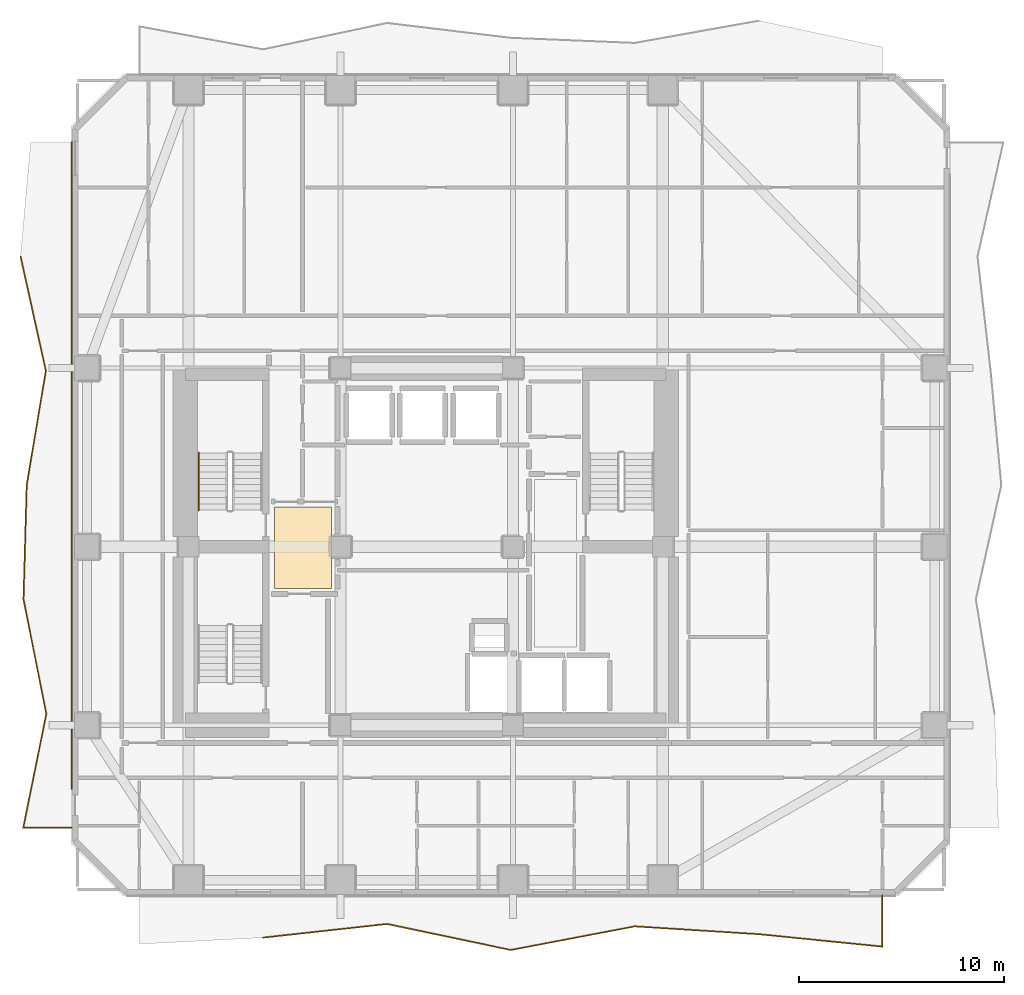
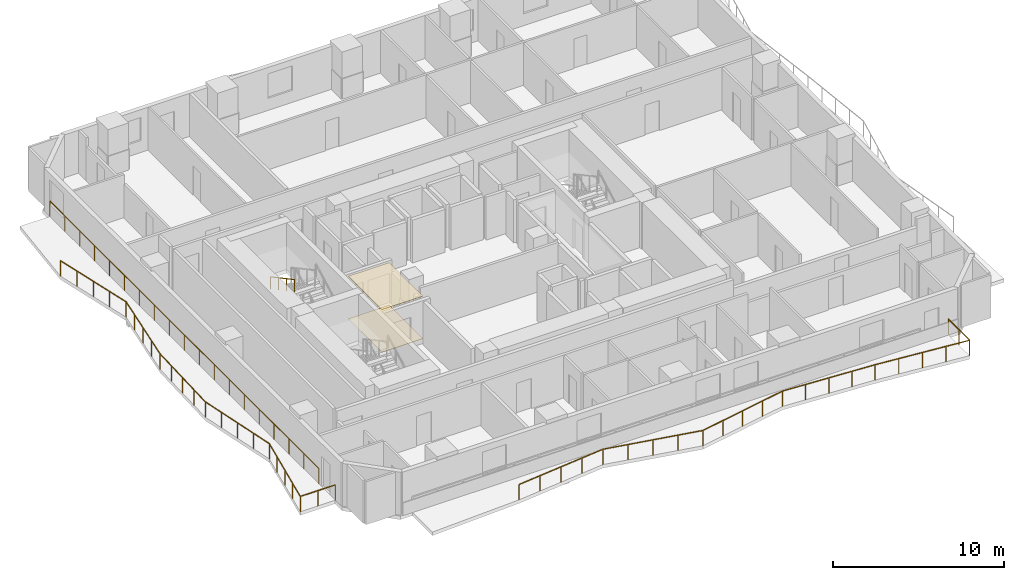
# One storey, part 9 of 11: 4 railings, 2 coverings.
"""IFC4 building model written with IfcOpenShell, lengths in metres."""

from ifc_helpers import new_model, si_unit, direction, frame, origin, origin_2d, place, context, subcontext, project, spatial, polyline, rectangle, outline, extrude, material, layer, layer_set, type_object, element, save


model = new_model("IFC4")

# Units and contexts
model_context = context("Model", 3, precision=1e-05, world=origin(), true_north=direction((0.0, 1.0)))
body_context = subcontext(model_context, "Body", "Model", "MODEL_VIEW")
ifc_project = project(units=[si_unit("LENGTHUNIT", "METRE"), si_unit("AREAUNIT", "SQUARE_METRE"), si_unit("VOLUMEUNIT", "CUBIC_METRE"), si_unit("PLANEANGLEUNIT", "RADIAN"), si_unit("MASSUNIT", "GRAM", prefix="KILO")], contexts=[model_context])

# Site, building, storey
site_placement = place(None, origin())
site = spatial("IfcSite", under=ifc_project, at=site_placement, CompositionType="ELEMENT")
building_placement = place(site_placement, origin())
building = spatial("IfcBuilding", under=site, at=building_placement, Name="Solanera Arch Residences", CompositionType="ELEMENT")
storey_placement = place(building_placement, frame((0.0, 0.0, 65.159912109375)))
storey = spatial("IfcBuildingStorey", under=building, at=storey_placement, Name="L18", CompositionType="ELEMENT", Elevation=65.159912109375)

# Railings
ifc_material_1 = material(Name="Steel S355 (ASTM A992 / A572 Grade 50)", Category="steel")
railing_type_1 = type_object("IfcRailingType", Name="Balustrade Railing BL-1100", PredefinedType="BALUSTRADE", material=ifc_material_1)
railing_1_placement = place(storey_placement, frame((17.032958984375, 11.657958984375, 0.0)))
element("IfcRailing", 1, at=railing_1_placement, inside=storey, type_object=railing_type_1, Name="L18 S Balcony Balustrade 1", PredefinedType="BALUSTRADE", context=body_context, shape_type="SweptSolid", body=[
    extrude(rectangle(XDim=0.048095703125, YDim=0.048095703125, at=origin_2d()), frame((0.0, 0.0, 1.09619140625), z_axis=(0.993980948034, 0.109553069085, 0.0), x_axis=(-0.109553069085, 0.993980948034, 0.0)), (0.0, 0.0, 1.0), 6.070556640625),
    extrude(rectangle(XDim=0.048095703125, YDim=0.048095703125, at=origin_2d()), frame((6.033935546875, 0.6650390625, 1.09619140625), z_axis=(0.978617798927, -0.205687149872, 0.0), x_axis=(0.205687149872, 0.978617798927, 0.0)), (0.0, 0.0, 1.0), 6.1650390625),
    extrude(rectangle(XDim=0.048095703125, YDim=0.048095703125, at=origin_2d()), frame((12.067138671875, -0.60302734375, 1.09619140625), z_axis=(0.982249737217, 0.187577860464, 0.0), x_axis=(-0.187577860464, 0.982249737217, 0.0)), (0.0, 0.0, 1.0), 6.14208984375),
    extrude(rectangle(XDim=0.048095703125, YDim=0.048095703125, at=origin_2d()), frame((18.10009765625, 0.549072265625, 1.09619140625), z_axis=(0.998001179371, -0.063195300251, 0.0), x_axis=(0.063195300251, 0.998001179371, 0.0)), (0.0, 0.0, 1.0), 6.0458984375),
    extrude(rectangle(XDim=0.048095703125, YDim=0.048095703125, at=origin_2d()), frame((24.134033203125, 0.1669921875, 1.09619140625), z_axis=(0.995009643827, -0.09977879881, 0.0), x_axis=(0.09977879881, 0.995009643827, 0.0)), (0.0, 0.0, 1.0), 6.063232421875),
    extrude(rectangle(XDim=0.048095703125, YDim=0.048095703125, at=origin_2d()), frame((30.1669921875, -0.43798828125, 1.09619140625), z_axis=(0.0, 1.0, 0.0), x_axis=(-1.0, 0.0, 0.0)), (0.0, 0.0, 1.0), 2.5),
    extrude(rectangle(XDim=0.0419921875, YDim=0.0419921875, at=origin_2d()), origin(), (0.0, 0.0, 1.0), 1.072021484375),
    extrude(rectangle(XDim=0.0419921875, YDim=0.0419921875, at=origin_2d()), frame((1.508544921875, 0.166259765625, 0.0)), (0.0, 0.0, 1.0), 1.072021484375),
    extrude(rectangle(XDim=0.0419921875, YDim=0.0419921875, at=origin_2d()), frame((3.01708984375, 0.33251953125, 0.0)), (0.0, 0.0, 1.0), 1.072021484375),
    extrude(rectangle(XDim=0.0419921875, YDim=0.0419921875, at=origin_2d()), frame((4.525390625, 0.498779296875, 0.0)), (0.0, 0.0, 1.0), 1.072021484375),
    extrude(rectangle(XDim=0.0419921875, YDim=0.0419921875, at=origin_2d()), frame((6.033935546875, 0.6650390625, 0.0)), (0.0, 0.0, 1.0), 1.072021484375),
    extrude(rectangle(XDim=0.0419921875, YDim=0.0419921875, at=origin_2d()), frame((7.542236328125, 0.34814453125, 0.0)), (0.0, 0.0, 1.0), 1.072021484375),
    extrude(rectangle(XDim=0.0419921875, YDim=0.0419921875, at=origin_2d()), frame((9.050537109375, 0.031005859375, 0.0)), (0.0, 0.0, 1.0), 1.072021484375),
    extrude(rectangle(XDim=0.0419921875, YDim=0.0419921875, at=origin_2d()), frame((10.558837890625, -0.2861328125, 0.0)), (0.0, 0.0, 1.0), 1.072021484375),
    extrude(rectangle(XDim=0.0419921875, YDim=0.0419921875, at=origin_2d()), frame((12.067138671875, -0.60302734375, 0.0)), (0.0, 0.0, 1.0), 1.072021484375),
    extrude(rectangle(XDim=0.0419921875, YDim=0.0419921875, at=origin_2d()), frame((13.575439453125, -0.31494140625, 0.0)), (0.0, 0.0, 1.0), 1.072021484375),
    extrude(rectangle(XDim=0.0419921875, YDim=0.0419921875, at=origin_2d()), frame((15.08349609375, -0.02685546875, 0.0)), (0.0, 0.0, 1.0), 1.072021484375),
    extrude(rectangle(XDim=0.0419921875, YDim=0.0419921875, at=origin_2d()), frame((16.591796875, 0.260986328125, 0.0)), (0.0, 0.0, 1.0), 1.072021484375),
    extrude(rectangle(XDim=0.0419921875, YDim=0.0419921875, at=origin_2d()), frame((18.10009765625, 0.549072265625, 0.0)), (0.0, 0.0, 1.0), 1.072021484375),
    extrude(rectangle(XDim=0.0419921875, YDim=0.0419921875, at=origin_2d()), frame((19.608642578125, 0.45361328125, 0.0)), (0.0, 0.0, 1.0), 1.072021484375),
    extrude(rectangle(XDim=0.0419921875, YDim=0.0419921875, at=origin_2d()), frame((21.1171875, 0.35791015625, 0.0)), (0.0, 0.0, 1.0), 1.072021484375),
    extrude(rectangle(XDim=0.0419921875, YDim=0.0419921875, at=origin_2d()), frame((22.62548828125, 0.262451171875, 0.0)), (0.0, 0.0, 1.0), 1.072021484375),
    extrude(rectangle(XDim=0.0419921875, YDim=0.0419921875, at=origin_2d()), frame((24.134033203125, 0.1669921875, 0.0)), (0.0, 0.0, 1.0), 1.072021484375),
    extrude(rectangle(XDim=0.0419921875, YDim=0.0419921875, at=origin_2d()), frame((25.642333984375, 0.015625, 0.0)), (0.0, 0.0, 1.0), 1.072021484375),
    extrude(rectangle(XDim=0.0419921875, YDim=0.0419921875, at=origin_2d()), frame((27.150390625, -0.135498046875, 0.0)), (0.0, 0.0, 1.0), 1.072021484375),
    extrude(rectangle(XDim=0.0419921875, YDim=0.0419921875, at=origin_2d()), frame((28.65869140625, -0.28662109375, 0.0)), (0.0, 0.0, 1.0), 1.072021484375),
    extrude(rectangle(XDim=0.0419921875, YDim=0.0419921875, at=origin_2d()), frame((30.1669921875, -0.43798828125, 0.0)), (0.0, 0.0, 1.0), 1.072021484375),
    extrude(rectangle(XDim=0.0419921875, YDim=0.0419921875, at=origin_2d()), frame((30.1669921875, 0.81201171875, 0.0)), (0.0, 0.0, 1.0), 1.072021484375),
    extrude(rectangle(XDim=0.0419921875, YDim=0.0419921875, at=origin_2d()), frame((30.1669921875, 2.06201171875, 0.0)), (0.0, 0.0, 1.0), 1.072021484375),
])
railing_2_placement = place(storey_placement, frame((5.214111328125, 44.8330078125, 0.0)))
element("IfcRailing", 2, at=railing_2_placement, inside=storey, type_object=railing_type_1, Name="L18 W Balcony Balustrade 1", PredefinedType="BALUSTRADE", context=body_context, shape_type="SweptSolid", body=[
    extrude(rectangle(XDim=0.048095703125, YDim=0.048095703125, at=origin_2d()), frame((0.0, 0.0, 1.09619140625), z_axis=(0.21610507867, -0.976370111675, 0.0), x_axis=(0.976370111675, 0.21610507867, 0.0)), (0.0, 0.0, 1.0), 5.70068359375),
    extrude(rectangle(XDim=0.048095703125, YDim=0.048095703125, at=origin_2d()), frame((1.23193359375, -5.56591796875, 1.09619140625), z_axis=(-0.165135391137, -0.986270907304, 0.0), x_axis=(0.986270907304, -0.165135391137, 0.0)), (0.0, 0.0, 1.0), 5.64453125),
    extrude(rectangle(XDim=0.048095703125, YDim=0.048095703125, at=origin_2d()), frame((0.2998046875, -11.133056640625, 1.09619140625), z_axis=(-0.028012859953, -0.999607562835, 0.0), x_axis=(0.999607562835, -0.028012859953, 0.0)), (0.0, 0.0, 1.0), 5.569091796875),
    extrude(rectangle(XDim=0.048095703125, YDim=0.048095703125, at=origin_2d()), frame((0.143798828125, -16.699951171875, 1.09619140625), z_axis=(0.195917616267, -0.980620358567, 0.0), x_axis=(0.980620358567, 0.195917616267, 0.0)), (0.0, 0.0, 1.0), 5.67626953125),
    extrude(rectangle(XDim=0.048095703125, YDim=0.048095703125, at=origin_2d()), frame((1.255859375, -22.26611328125, 1.09619140625), z_axis=(-0.198413580853, -0.980118386182, 0.0), x_axis=(0.980118386182, -0.198413580853, 0.0)), (0.0, 0.0, 1.0), 5.679931640625),
    extrude(rectangle(XDim=0.048095703125, YDim=0.048095703125, at=origin_2d()), frame((0.12890625, -27.8330078125, 1.09619140625), z_axis=(1.0, 0.0, 0.0), x_axis=(0.0, 1.0, 0.0)), (0.0, 0.0, 1.0), 2.376953125),
    extrude(rectangle(XDim=0.0419921875, YDim=0.0419921875, at=origin_2d()), origin(), (0.0, 0.0, 1.0), 1.072021484375),
    extrude(rectangle(XDim=0.0419921875, YDim=0.0419921875, at=origin_2d()), frame((0.30810546875, -1.3916015625, 0.0)), (0.0, 0.0, 1.0), 1.072021484375),
    extrude(rectangle(XDim=0.0419921875, YDim=0.0419921875, at=origin_2d()), frame((0.615966796875, -2.782958984375, 0.0)), (0.0, 0.0, 1.0), 1.072021484375),
    extrude(rectangle(XDim=0.0419921875, YDim=0.0419921875, at=origin_2d()), frame((0.923828125, -4.17431640625, 0.0)), (0.0, 0.0, 1.0), 1.072021484375),
    extrude(rectangle(XDim=0.0419921875, YDim=0.0419921875, at=origin_2d()), frame((1.23193359375, -5.56591796875, 0.0)), (0.0, 0.0, 1.0), 1.072021484375),
    extrude(rectangle(XDim=0.0419921875, YDim=0.0419921875, at=origin_2d()), frame((0.9990234375, -6.957763671875, 0.0)), (0.0, 0.0, 1.0), 1.072021484375),
    extrude(rectangle(XDim=0.0419921875, YDim=0.0419921875, at=origin_2d()), frame((0.765869140625, -8.349609375, 0.0)), (0.0, 0.0, 1.0), 1.072021484375),
    extrude(rectangle(XDim=0.0419921875, YDim=0.0419921875, at=origin_2d()), frame((0.53271484375, -9.7412109375, 0.0)), (0.0, 0.0, 1.0), 1.072021484375),
    extrude(rectangle(XDim=0.0419921875, YDim=0.0419921875, at=origin_2d()), frame((0.2998046875, -11.133056640625, 0.0)), (0.0, 0.0, 1.0), 1.072021484375),
    extrude(rectangle(XDim=0.0419921875, YDim=0.0419921875, at=origin_2d()), frame((0.2607421875, -12.52490234375, 0.0)), (0.0, 0.0, 1.0), 1.072021484375),
    extrude(rectangle(XDim=0.0419921875, YDim=0.0419921875, at=origin_2d()), frame((0.2216796875, -13.91650390625, 0.0)), (0.0, 0.0, 1.0), 1.072021484375),
    extrude(rectangle(XDim=0.0419921875, YDim=0.0419921875, at=origin_2d()), frame((0.182861328125, -15.30810546875, 0.0)), (0.0, 0.0, 1.0), 1.072021484375),
    extrude(rectangle(XDim=0.0419921875, YDim=0.0419921875, at=origin_2d()), frame((0.143798828125, -16.699951171875, 0.0)), (0.0, 0.0, 1.0), 1.072021484375),
    extrude(rectangle(XDim=0.0419921875, YDim=0.0419921875, at=origin_2d()), frame((0.421875, -18.091552734375, 0.0)), (0.0, 0.0, 1.0), 1.072021484375),
    extrude(rectangle(XDim=0.0419921875, YDim=0.0419921875, at=origin_2d()), frame((0.69970703125, -19.48291015625, 0.0)), (0.0, 0.0, 1.0), 1.072021484375),
    extrude(rectangle(XDim=0.0419921875, YDim=0.0419921875, at=origin_2d()), frame((0.977783203125, -20.87451171875, 0.0)), (0.0, 0.0, 1.0), 1.072021484375),
    extrude(rectangle(XDim=0.0419921875, YDim=0.0419921875, at=origin_2d()), frame((1.255859375, -22.26611328125, 0.0)), (0.0, 0.0, 1.0), 1.072021484375),
    extrude(rectangle(XDim=0.0419921875, YDim=0.0419921875, at=origin_2d()), frame((0.97412109375, -23.65771484375, 0.0)), (0.0, 0.0, 1.0), 1.072021484375),
    extrude(rectangle(XDim=0.0419921875, YDim=0.0419921875, at=origin_2d()), frame((0.6923828125, -25.049560546875, 0.0)), (0.0, 0.0, 1.0), 1.072021484375),
    extrude(rectangle(XDim=0.0419921875, YDim=0.0419921875, at=origin_2d()), frame((0.41064453125, -26.44140625, 0.0)), (0.0, 0.0, 1.0), 1.072021484375),
    extrude(rectangle(XDim=0.0419921875, YDim=0.0419921875, at=origin_2d()), frame((0.12890625, -27.8330078125, 0.0)), (0.0, 0.0, 1.0), 1.072021484375),
    extrude(rectangle(XDim=0.0419921875, YDim=0.0419921875, at=origin_2d()), frame((1.3173828125, -27.8330078125, 0.0)), (0.0, 0.0, 1.0), 1.072021484375),
    extrude(rectangle(XDim=0.0419921875, YDim=0.0419921875, at=origin_2d()), frame((2.505859375, -27.8330078125, 0.0)), (0.0, 0.0, 1.0), 1.072021484375),
])
railing_3_placement = place(storey_placement, frame((7.719970703125, 18.916015625, 0.0)))
element("IfcRailing", 3, at=railing_3_placement, inside=storey, type_object=railing_type_1, Name="L18 W Balcony Balustrade 2", PredefinedType="BALUSTRADE", context=body_context, shape_type="SweptSolid", body=[
    extrude(rectangle(XDim=0.048095703125, YDim=0.048095703125, at=origin_2d()), frame((0.0, 0.0, 1.09619140625), z_axis=(0.0, 1.0, 0.0), x_axis=(-1.0, 0.0, 0.0)), (0.0, 0.0, 1.0), 31.48388671875),
    extrude(rectangle(XDim=0.0419921875, YDim=0.0419921875, at=origin_2d()), origin(), (0.0, 0.0, 1.0), 1.072021484375),
    extrude(rectangle(XDim=0.0419921875, YDim=0.0419921875, at=origin_2d()), frame((0.0, 1.7490234375, 0.0)), (0.0, 0.0, 1.0), 1.072021484375),
    extrude(rectangle(XDim=0.0419921875, YDim=0.0419921875, at=origin_2d()), frame((0.0, 3.498291015625, 0.0)), (0.0, 0.0, 1.0), 1.072021484375),
    extrude(rectangle(XDim=0.0419921875, YDim=0.0419921875, at=origin_2d()), frame((0.0, 5.247314453125, 0.0)), (0.0, 0.0, 1.0), 1.072021484375),
    extrude(rectangle(XDim=0.0419921875, YDim=0.0419921875, at=origin_2d()), frame((0.0, 6.996337890625, 0.0)), (0.0, 0.0, 1.0), 1.072021484375),
    extrude(rectangle(XDim=0.0419921875, YDim=0.0419921875, at=origin_2d()), frame((0.0, 8.74560546875, 0.0)), (0.0, 0.0, 1.0), 1.072021484375),
    extrude(rectangle(XDim=0.0419921875, YDim=0.0419921875, at=origin_2d()), frame((0.0, 10.49462890625, 0.0)), (0.0, 0.0, 1.0), 1.072021484375),
    extrude(rectangle(XDim=0.0419921875, YDim=0.0419921875, at=origin_2d()), frame((0.0, 12.24365234375, 0.0)), (0.0, 0.0, 1.0), 1.072021484375),
    extrude(rectangle(XDim=0.0419921875, YDim=0.0419921875, at=origin_2d()), frame((0.0, 13.992919921875, 0.0)), (0.0, 0.0, 1.0), 1.072021484375),
    extrude(rectangle(XDim=0.0419921875, YDim=0.0419921875, at=origin_2d()), frame((0.0, 15.741943359375, 0.0)), (0.0, 0.0, 1.0), 1.072021484375),
    extrude(rectangle(XDim=0.0419921875, YDim=0.0419921875, at=origin_2d()), frame((0.0, 17.490966796875, 0.0)), (0.0, 0.0, 1.0), 1.072021484375),
    extrude(rectangle(XDim=0.0419921875, YDim=0.0419921875, at=origin_2d()), frame((0.0, 19.240234375, 0.0)), (0.0, 0.0, 1.0), 1.072021484375),
    extrude(rectangle(XDim=0.0419921875, YDim=0.0419921875, at=origin_2d()), frame((0.0, 20.9892578125, 0.0)), (0.0, 0.0, 1.0), 1.072021484375),
    extrude(rectangle(XDim=0.0419921875, YDim=0.0419921875, at=origin_2d()), frame((0.0, 22.73828125, 0.0)), (0.0, 0.0, 1.0), 1.072021484375),
    extrude(rectangle(XDim=0.0419921875, YDim=0.0419921875, at=origin_2d()), frame((0.0, 24.487548828125, 0.0)), (0.0, 0.0, 1.0), 1.072021484375),
    extrude(rectangle(XDim=0.0419921875, YDim=0.0419921875, at=origin_2d()), frame((0.0, 26.236572265625, 0.0)), (0.0, 0.0, 1.0), 1.072021484375),
    extrude(rectangle(XDim=0.0419921875, YDim=0.0419921875, at=origin_2d()), frame((0.0, 27.985595703125, 0.0)), (0.0, 0.0, 1.0), 1.072021484375),
    extrude(rectangle(XDim=0.0419921875, YDim=0.0419921875, at=origin_2d()), frame((0.0, 29.73486328125, 0.0)), (0.0, 0.0, 1.0), 1.072021484375),
    extrude(rectangle(XDim=0.0419921875, YDim=0.0419921875, at=origin_2d()), frame((0.0, 31.48388671875, 0.0)), (0.0, 0.0, 1.0), 1.072021484375),
])

# Covering
ifc_material_2 = material(Name="Porcelain Acoustic Floor Tile", Category="ceramic")
ifc_layer_1 = layer(ifc_material_2, 0.02001953125)
ifc_layer_set_1 = layer_set([ifc_layer_1], Name="Porcelain Acoustic Floor Tile")
covering_type_1 = type_object("IfcCoveringType", Name="Porcelain Acoustic Floor Finish FLR-20", PredefinedType="FLOORING", material=ifc_layer_set_1)
covering_1_placement = place(storey_placement, origin())
element("IfcCovering", 4, at=covering_1_placement, inside=storey, type_object=covering_type_1, Name="L18-FFL-W Porcelain Floor Finish", PredefinedType="FLOORING", context=body_context, shape_type="SweptSolid", body=[
    extrude(outline(polyline([(20.375, 28.675048828125), (17.594970703125, 28.675048828125), (17.594970703125, 32.625), (20.375, 32.625), (20.375, 28.675048828125)])), origin(), (0.0, 0.0, 1.0), 0.02001953125),
])

# Railing
ifc_material_3 = material(Name="Steel S355 (ASTM A992 / A572 Grade 50)", Category="steel")
railing_type_2 = type_object("IfcRailingType", Name="Stair Wall Handrail HR-920", PredefinedType="HANDRAIL", material=ifc_material_3)
railing_4_placement = place(storey_placement, frame((13.889892578125, 35.27001953125, 1.826171875)))
element("IfcRailing", 5, at=railing_4_placement, inside=storey, type_object=railing_type_2, Name="L18 ST-T1 stair handrail 2", PredefinedType="HANDRAIL", context=body_context, shape_type="SweptSolid", body=[
    extrude(rectangle(XDim=0.048095703125, YDim=0.048095703125, at=origin_2d()), frame((0.0, 0.0, 0.8759765625), z_axis=(0.0, -0.881580869306, 0.472033018838), x_axis=(1.0, 0.0, 0.0)), (0.0, 0.0, 1.0), 3.164794921875),
    extrude(rectangle(XDim=0.0419921875, YDim=0.0419921875, at=origin_2d()), origin(), (0.0, 0.0, 1.0), 0.851806640625),
    extrude(rectangle(XDim=0.0419921875, YDim=0.0419921875, at=origin_2d()), frame((0.0, -0.929931640625, 0.498046875)), (0.0, 0.0, 1.0), 0.851806640625),
    extrude(rectangle(XDim=0.0419921875, YDim=0.0419921875, at=origin_2d()), frame((0.0, -1.860107421875, 0.995849609375)), (0.0, 0.0, 1.0), 0.851806640625),
    extrude(rectangle(XDim=0.0419921875, YDim=0.0419921875, at=origin_2d()), frame((0.0, -2.7900390625, 1.493896484375)), (0.0, 0.0, 1.0), 0.851806640625),
])

# Covering
ifc_material_4 = material(Name="Mineral Fibre Acoustic Ceiling Board", Category="gypsum")
ifc_layer_2 = layer(ifc_material_4, 0.02490234375)
ifc_layer_set_2 = layer_set([ifc_layer_2], Name="Mineral Fibre Acoustic Ceiling Board")
covering_type_2 = type_object("IfcCoveringType", Name="Suspended Acoustic Ceiling Board CLG-25", PredefinedType="CEILING", material=ifc_layer_set_2)
covering_2_placement = place(storey_placement, frame((0.0, 0.0, 3.03515625)))
element("IfcCovering", 6, at=covering_2_placement, inside=storey, type_object=covering_type_2, Name="L18-FFL-W Acoustic Ceiling", PredefinedType="CEILING", context=body_context, shape_type="SweptSolid", body=[
    extrude(outline(polyline([(20.375, 28.675048828125), (17.594970703125, 28.675048828125), (17.594970703125, 32.625), (20.375, 32.625), (20.375, 28.675048828125)])), origin(), (0.0, 0.0, 1.0), 0.02490234375),
])

save(model, "model.ifc")
